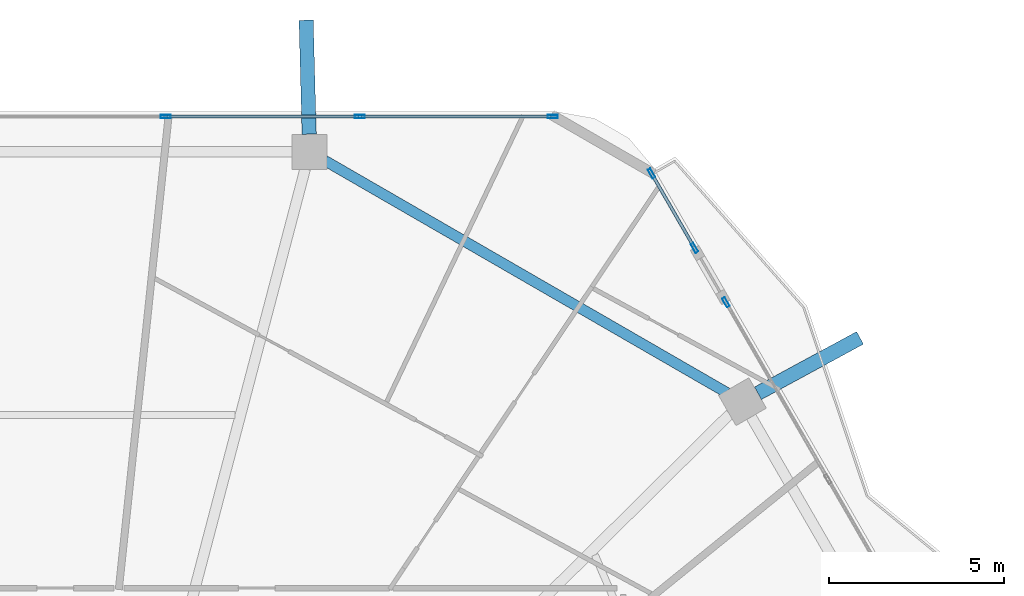
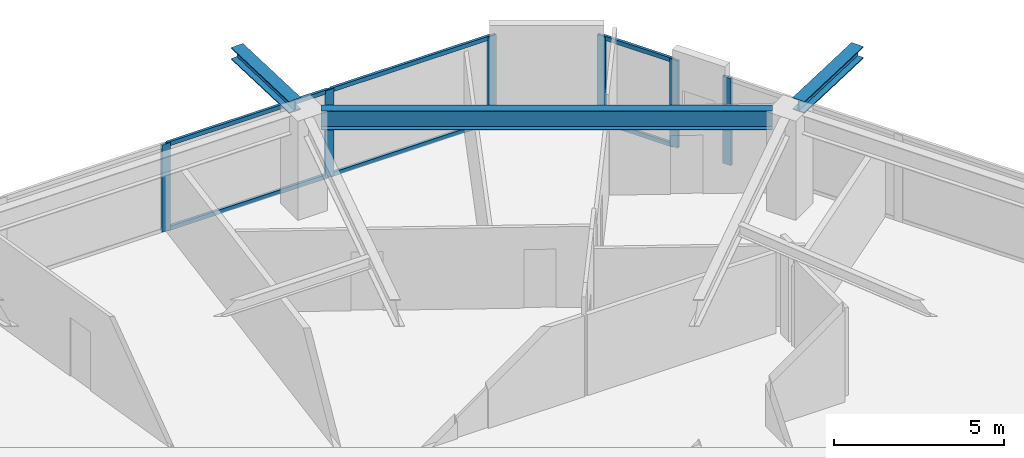
# One storey, part 15 of 25: 12 members, 3 beams, 3 elements without a shape of their own.
"""IFC4 building model written with IfcOpenShell, lengths in metres."""

import ifcopenshell
import ifcopenshell.guid

model = None  # the IFC model being written
_history = None  # IfcOwnerHistory: only IFC2X3 demands one
_inside = {}  # id of a spatial element -> (the spatial element, [elements in it])
_under = {}  # id of a project, library or spatial element -> (it, [spatial elements below it])
_declared = {}  # id of a project -> (the project, [libraries it declares])
_typed = {}  # id of a type object -> (the type object, [elements of that type])
_made_of = {}  # id of a material, layer set ... -> (it, [elements and type objects made of it])


def new_model(schema):
    """Start an empty IFC model of exactly this schema.

    Asked for "IFC4X3", IfcOpenShell would pick the latest addendum, in which some entities
    have other attributes; the version numbers below select the first issue.
    IFC2X3 requires an IfcOwnerHistory on every rooted entity: one is made here for all.
    """
    global model, _history
    if schema == "IFC4X3":
        model = ifcopenshell.file(schema_version=(4, 3, 0, 0))
    else:
        model = ifcopenshell.file(schema=schema)
    _inside.clear()
    _under.clear()
    _declared.clear()
    _typed.clear()
    _made_of.clear()
    _history = None
    if model.schema == "IFC2X3":
        org = make("IfcOrganization", Name="unknown")
        user = make(
            "IfcPersonAndOrganization",
            ThePerson=make("IfcPerson", FamilyName="unknown"),
            TheOrganization=org,
        )
        app = make(
            "IfcApplication",
            ApplicationDeveloper=org,
            Version="unknown",
            ApplicationFullName="unknown",
            ApplicationIdentifier="unknown",
        )
        _history = make(
            "IfcOwnerHistory",
            OwningUser=user,
            OwningApplication=app,
            ChangeAction="ADDED",
            CreationDate=0,
        )
    return model


def make(cls, **values):
    """One entity of the class cls with the attributes given. An attribute that is None is left unset."""
    return model.create_entity(
        cls, **{name: value for name, value in values.items() if value is not None}
    )


def rooted(cls, **values):
    """An entity with a GlobalId (a new one), such as an element, a storey or a relation."""
    return make(cls, GlobalId=ifcopenshell.guid.new(), OwnerHistory=_history, **values)


def si_unit(unit_type, name, prefix=None):
    """IfcSIUnit, for example si_unit("LENGTHUNIT", "METRE", prefix="MILLI")."""
    return make("IfcSIUnit", UnitType=unit_type, Prefix=prefix, Name=name)


def assignment(units):
    """IfcUnitAssignment: the units of a project."""
    return None if units is None else make("IfcUnitAssignment", Units=units)


def point(xyz):
    """IfcCartesianPoint."""
    return None if xyz is None else make("IfcCartesianPoint", Coordinates=xyz)


def direction(xyz):
    """IfcDirection."""
    return None if xyz is None else make("IfcDirection", DirectionRatios=xyz)


def frame(location, z_axis=None, x_axis=None):
    """IfcAxis2Placement3D, a coordinate frame: its origin and axes. An axis left out is left unset."""
    return make(
        "IfcAxis2Placement3D",
        Location=point(location),
        Axis=direction(z_axis),
        RefDirection=direction(x_axis),
    )


def frame_2d(location, x_axis=None):
    """IfcAxis2Placement2D, a coordinate frame in the plane: its origin and x axis."""
    return make(
        "IfcAxis2Placement2D", Location=point(location), RefDirection=direction(x_axis)
    )


def origin():
    """The frame at (0, 0, 0) with its axes left unset."""
    return frame((0.0, 0.0, 0.0))


def origin_2d():
    """The frame at (0, 0) in the plane with its x axis left unset."""
    return frame_2d((0.0, 0.0))


def place(relative_to, where):
    """IfcLocalPlacement: puts the frame where relative to a parent placement (None: the world)."""
    return make(
        "IfcLocalPlacement", PlacementRelTo=relative_to, RelativePlacement=where
    )


def context(
    kind, dimensions, precision=None, world=None, true_north=None, identifier=None
):
    """IfcGeometricRepresentationContext, for example the 3D "Model" context."""
    return make(
        "IfcGeometricRepresentationContext",
        ContextIdentifier=identifier,
        ContextType=kind,
        CoordinateSpaceDimension=dimensions,
        Precision=precision,
        WorldCoordinateSystem=world,
        TrueNorth=true_north,
    )


def subcontext(parent, identifier, kind, view, scale=None):
    """IfcGeometricRepresentationSubContext, for example "Body" below "Model"."""
    return make(
        "IfcGeometricRepresentationSubContext",
        ContextIdentifier=identifier,
        ContextType=kind,
        ParentContext=parent,
        TargetScale=scale,
        TargetView=view,
    )


def project(units=None, contexts=None):
    """IfcProject with its units and contexts."""
    return rooted(
        "IfcProject",
        Name="project",
        RepresentationContexts=contexts,
        UnitsInContext=assignment(units),
    )


def spatial(cls, under=None, at=None, **own):
    """A site, building, storey or space (cls), placed at a placement, below another one or the project."""
    s = rooted(cls, ObjectPlacement=at, **own)
    if under is not None:
        _under.setdefault(under.id(), (under, []))[1].append(s)
    return s


def profile(cls, at=None, kind="AREA", **sizes):
    """A parametric profile (cls). Its sizes go by their IFC names, for example OverallWidth=200.0."""
    return make(cls, ProfileType=kind, Position=at, **sizes)


def hollow_rectangle(**sizes):
    """IfcRectangleHollowProfileDef."""
    return profile("IfcRectangleHollowProfileDef", **sizes)


def i_section(**sizes):
    """IfcIShapeProfileDef."""
    return profile("IfcIShapeProfileDef", **sizes)


def extrude(swept, where, along, depth):
    """IfcExtrudedAreaSolid: the profile swept, set in the frame where, extruded along a direction by depth."""
    return make(
        "IfcExtrudedAreaSolid",
        SweptArea=swept,
        Position=where,
        ExtrudedDirection=direction(along),
        Depth=depth,
    )


def shape(context_of_items, identifier, shape_type, items):
    """IfcShapeRepresentation: the items that make up one representation, for example the "Body"."""
    return make(
        "IfcShapeRepresentation",
        ContextOfItems=context_of_items,
        RepresentationIdentifier=identifier,
        RepresentationType=shape_type,
        Items=items,
    )


def material(Name=None, Category=None):
    """IfcMaterial."""
    return make("IfcMaterial", Name=Name, Category=Category)


def material_profile(
    of_material, cross_section, Name=None, Category=None, Priority=None
):
    """IfcMaterialProfile: a cross section and its material."""
    return make(
        "IfcMaterialProfile",
        Name=Name,
        Material=of_material,
        Profile=cross_section,
        Priority=Priority,
        Category=Category,
    )


def profile_set(profiles, Name=None, composite=None):
    """IfcMaterialProfileSet."""
    return make(
        "IfcMaterialProfileSet",
        Name=Name,
        MaterialProfiles=profiles,
        CompositeProfile=composite,
    )


def made_of(thing, what):
    """Note that an element or type object is made of a material, layer set ...; save() writes the relation."""
    if what is not None:
        _made_of.setdefault(what.id(), (what, []))[1].append(thing)
    return thing


def type_object(cls, material=None, **own):
    """A type object (cls), such as IfcWallType, which elements share."""
    return made_of(rooted(cls, **own), material)


def element(
    cls,
    number,
    at=None,
    inside=None,
    cuts=None,
    type_object=None,
    material=None,
    context=None,
    identifier="Body",
    shape_type=None,
    held_by="IfcProductDefinitionShape",
    body=None,
    shapes=None,
    **own,
):
    """One element of the class cls, such as IfcWall. Its Tag is "e" and its number.

    at: its placement. inside: the storey or other place that contains it. cuts: it is an
    opening in that element (IfcRelVoidsElement). A single representation is given by context,
    identifier, shape_type and body (its items); several are given by shapes. held_by: the class
    of the entity that holds the representations. save() writes the other relations.
    """
    e = rooted(cls, Tag="e%d" % number, ObjectPlacement=at, **own)
    if body is not None:
        shapes = [shape(context, identifier, shape_type, body)]
    if shapes is not None:
        e.Representation = make(held_by, Representations=shapes)
    if inside is not None:
        _inside.setdefault(inside.id(), (inside, []))[1].append(e)
    if cuts is not None:
        rooted(
            "IfcRelVoidsElement", RelatingBuildingElement=cuts, RelatedOpeningElement=e
        )
    if type_object is not None:
        _typed.setdefault(type_object.id(), (type_object, []))[1].append(e)
    return made_of(e, material)


def aggregate(whole, parts):
    """IfcRelAggregates: a whole, such as a stair, and the parts it consists of."""
    return rooted("IfcRelAggregates", RelatingObject=whole, RelatedObjects=parts)


def save(model, path):
    """Write the relations noted so far, then the file.

    IfcRelAggregates (storeys below a building ...), IfcRelContainedInSpatialStructure (elements
    in a storey), IfcRelDefinesByType, IfcRelAssociatesMaterial and IfcRelDeclares: one each for
    every whole, place, type object, material and project.
    """
    for whole, parts in _under.values():
        aggregate(whole, parts)
    for where, things in _inside.values():
        rooted(
            "IfcRelContainedInSpatialStructure",
            RelatedElements=things,
            RelatingStructure=where,
        )
    for kind, things in _typed.values():
        rooted("IfcRelDefinesByType", RelatedObjects=things, RelatingType=kind)
    for what, things in _made_of.values():
        rooted("IfcRelAssociatesMaterial", RelatedObjects=things, RelatingMaterial=what)
    for by, libraries in _declared.values():
        rooted("IfcRelDeclares", RelatingContext=by, RelatedDefinitions=libraries)
    model.write(path)


model = new_model("IFC4")

# Units and contexts
model_context = context("Model", 3, precision=1e-05, world=origin(), true_north=direction((0.0, 1.0)))
body_context = subcontext(model_context, "Body", "Model", "MODEL_VIEW")
ifc_project = project(units=[si_unit("LENGTHUNIT", "METRE"), si_unit("AREAUNIT", "SQUARE_METRE"), si_unit("VOLUMEUNIT", "CUBIC_METRE"), si_unit("PLANEANGLEUNIT", "RADIAN"), si_unit("MASSUNIT", "GRAM", prefix="KILO")], contexts=[model_context])

# Site, building, storey
site_placement = place(None, origin())
site = spatial("IfcSite", under=ifc_project, at=site_placement, CompositionType="ELEMENT")
building_placement = place(site_placement, origin())
building = spatial("IfcBuilding", under=site, at=building_placement, Name="Zuhravey Tower", CompositionType="ELEMENT")
storey_placement = place(building_placement, frame((0.0, 0.0, 180.800048828125)))
storey = spatial("IfcBuildingStorey", under=building, at=storey_placement, Name="L45", CompositionType="ELEMENT", Elevation=180.800048828125)

# Curtain wall, members
ifc_material_1 = material(Name="Thermally broken anodised aluminium", Category="aluminium")
curtain_wall_type = type_object("IfcCurtainWallType", Name="Zone 1-2 Residential Curtain Wall CW3", PredefinedType="NOTDEFINED", material=ifc_material_1)
curtain_wall_1_placement = place(storey_placement, origin())
curtain_wall_1 = element("IfcCurtainWall", 1, at=curtain_wall_1_placement, inside=storey, type_object=curtain_wall_type, Name="L45 CW3 CW-L45-F2-1", PredefinedType="NOTDEFINED")
ifc_material_2 = material(Name="Anodised aluminium", Category="aluminium")
ifc_material_profile_1 = material_profile(ifc_material_2, hollow_rectangle(XDim=0.090087890625, YDim=0.284912109375, WallThickness=0.0048828125, at=origin_2d()), Name="ALU-RHS-90x285x5")
ifc_profile_set_1 = profile_set([ifc_material_profile_1], Name="Anodised aluminium")
member_type_1 = type_object("IfcMemberType", Name="Curtain-Wall Mullion 90x180", PredefinedType="MULLION", material=ifc_profile_set_1)
member_1_placement = place(storey_placement, frame((38.772216796875, 59.18310546875, 0.0), z_axis=(0.0, 0.0, 1.0), x_axis=(0.0, 1.0, 0.0)))
member_1 = element("IfcMember", 2, at=member_1_placement, type_object=member_type_1, Name="CW3 mullion 4", PredefinedType="MULLION", context=body_context, shape_type="SweptSolid", body=[
    extrude(hollow_rectangle(XDim=0.090087890625, YDim=0.284912109375, WallThickness=0.0048828125, at=origin_2d()), origin(), (0.0, 0.0, 1.0), 3.1220703125),
])
member_2_placement = place(storey_placement, frame((44.316650390625, 59.18310546875, 0.0), z_axis=(0.0, 0.0, 1.0), x_axis=(0.0, 1.0, 0.0)))
member_2 = element("IfcMember", 3, at=member_2_placement, type_object=member_type_1, Name="CW3 mullion 5", PredefinedType="MULLION", context=body_context, shape_type="SweptSolid", body=[
    extrude(hollow_rectangle(XDim=0.090087890625, YDim=0.284912109375, WallThickness=0.0048828125, at=origin_2d()), origin(), (0.0, 0.0, 1.0), 3.1220703125),
])
member_3_placement = place(storey_placement, frame((49.816162109375, 59.18310546875, 0.0), z_axis=(0.0, 0.0, 1.0), x_axis=(0.0, 1.0, 0.0)))
member_3 = element("IfcMember", 4, at=member_3_placement, type_object=member_type_1, Name="CW3 mullion 6", PredefinedType="MULLION", context=body_context, shape_type="SweptSolid", body=[
    extrude(hollow_rectangle(XDim=0.090087890625, YDim=0.284912109375, WallThickness=0.0048828125, at=origin_2d()), origin(), (0.0, 0.0, 1.0), 3.1220703125),
])

curtain_wall_2_placement = place(storey_placement, origin())
curtain_wall_2 = element("IfcCurtainWall", 5, at=curtain_wall_2_placement, inside=storey, type_object=curtain_wall_type, Name="L45 CW3 CW-L45-F1-1", PredefinedType="NOTDEFINED")
member_4_placement = place(storey_placement, frame((52.63330078125, 57.556640625, 0.0), z_axis=(0.0, 0.0, 1.0), x_axis=(0.866022513548, 0.500005006002, 0.0)))
member_4 = element("IfcMember", 6, at=member_4_placement, type_object=member_type_1, Name="CW3 mullion 1", PredefinedType="MULLION", context=body_context, shape_type="SweptSolid", body=[
    extrude(hollow_rectangle(XDim=0.090087890625, YDim=0.284912109375, WallThickness=0.0048828125, at=origin_2d()), origin(), (0.0, 0.0, 1.0), 3.1220703125),
])
member_5_placement = place(storey_placement, frame((53.859619140625, 55.432373046875, 0.0), z_axis=(0.0, 0.0, 1.0), x_axis=(0.866022513548, 0.500005006002, 0.0)))
member_5 = element("IfcMember", 7, at=member_5_placement, type_object=member_type_1, Name="CW3 mullion 2", PredefinedType="MULLION", context=body_context, shape_type="SweptSolid", body=[
    extrude(hollow_rectangle(XDim=0.090087890625, YDim=0.284912109375, WallThickness=0.0048828125, at=origin_2d()), origin(), (0.0, 0.0, 1.0), 3.1220703125),
])

# Curtain wall, member
curtain_wall_3_placement = place(storey_placement, origin())
curtain_wall_3 = element("IfcCurtainWall", 8, at=curtain_wall_3_placement, inside=storey, type_object=curtain_wall_type, Name="L45 CW3 CW-L45-F1-2", PredefinedType="NOTDEFINED")
member_6_placement = place(storey_placement, frame((54.754638671875, 53.88232421875, 0.0), z_axis=(0.0, 0.0, 1.0), x_axis=(0.866024798294, 0.500001048738, 0.0)))
member_6 = element("IfcMember", 9, at=member_6_placement, type_object=member_type_1, Name="CW3 mullion 1", PredefinedType="MULLION", context=body_context, shape_type="SweptSolid", body=[
    extrude(hollow_rectangle(XDim=0.090087890625, YDim=0.284912109375, WallThickness=0.0048828125, at=origin_2d()), origin(), (0.0, 0.0, 1.0), 3.1220703125),
])
aggregate(curtain_wall_3, [member_6])

# Member
ifc_material_profile_2 = material_profile(ifc_material_2, hollow_rectangle(XDim=0.090087890625, YDim=0.14990234375, WallThickness=0.0048828125, at=origin_2d()), Name="ALU-RHS-90x150x5")
ifc_profile_set_2 = profile_set([ifc_material_profile_2], Name="Anodised aluminium")
member_type_2 = type_object("IfcMemberType", Name="Curtain-Wall Transom 90x150", PredefinedType="USERDEFINED", material=ifc_profile_set_2)
member_7_placement = place(storey_placement, frame((38.817138671875, 59.18310546875, 0.044921875), z_axis=(1.0, 0.0, 0.0), x_axis=(0.0, 1.0, 0.0)))
member_7 = element("IfcMember", 10, at=member_7_placement, type_object=member_type_2, Name="CW3 transom 4.1", ObjectType="TRANSOM", PredefinedType="USERDEFINED", context=body_context, shape_type="SweptSolid", body=[
    extrude(hollow_rectangle(XDim=0.090087890625, YDim=0.14990234375, WallThickness=0.0048828125, at=origin_2d()), origin(), (0.0, 0.0, 1.0), 5.45458984375),
])

member_8_placement = place(storey_placement, frame((38.817138671875, 59.18310546875, 3.076904296875), z_axis=(1.0, 0.0, 0.0), x_axis=(0.0, 1.0, 0.0)))
member_8 = element("IfcMember", 11, at=member_8_placement, type_object=member_type_2, Name="CW3 transom 4.2", ObjectType="TRANSOM", PredefinedType="USERDEFINED", context=body_context, shape_type="SweptSolid", body=[
    extrude(hollow_rectangle(XDim=0.090087890625, YDim=0.14990234375, WallThickness=0.0048828125, at=origin_2d()), origin(), (0.0, 0.0, 1.0), 5.45458984375),
])

member_9_placement = place(storey_placement, frame((44.361572265625, 59.18310546875, 0.044921875), z_axis=(1.0, 0.0, 0.0), x_axis=(0.0, 1.0, 0.0)))
member_9 = element("IfcMember", 12, at=member_9_placement, type_object=member_type_2, Name="CW3 transom 5.1", ObjectType="TRANSOM", PredefinedType="USERDEFINED", context=body_context, shape_type="SweptSolid", body=[
    extrude(hollow_rectangle(XDim=0.090087890625, YDim=0.14990234375, WallThickness=0.0048828125, at=origin_2d()), origin(), (0.0, 0.0, 1.0), 5.409423828125),
])

member_10_placement = place(storey_placement, frame((44.361572265625, 59.18310546875, 3.076904296875), z_axis=(1.0, 0.0, 0.0), x_axis=(0.0, 1.0, 0.0)))
member_10 = element("IfcMember", 13, at=member_10_placement, type_object=member_type_2, Name="CW3 transom 5.2", ObjectType="TRANSOM", PredefinedType="USERDEFINED", context=body_context, shape_type="SweptSolid", body=[
    extrude(hollow_rectangle(XDim=0.090087890625, YDim=0.14990234375, WallThickness=0.0048828125, at=origin_2d()), origin(), (0.0, 0.0, 1.0), 5.409423828125),
])

aggregate(curtain_wall_1, [member_1, member_2, member_3, member_7, member_8, member_9, member_10])

member_11_placement = place(storey_placement, frame((52.65576171875, 57.517578125, 0.044921875), z_axis=(0.500017622489, -0.866015229196, 0.0), x_axis=(0.866015229196, 0.500017622489, 0.0)))
member_11 = element("IfcMember", 14, at=member_11_placement, type_object=member_type_2, Name="CW3 transom 1.1", ObjectType="TRANSOM", PredefinedType="USERDEFINED", context=body_context, shape_type="SweptSolid", body=[
    extrude(hollow_rectangle(XDim=0.090087890625, YDim=0.14990234375, WallThickness=0.0048828125, at=origin_2d()), origin(), (0.0, 0.0, 1.0), 2.36279296875),
])

member_12_placement = place(storey_placement, frame((52.65576171875, 57.517578125, 3.076904296875), z_axis=(0.500017622489, -0.866015229196, 0.0), x_axis=(0.866015229196, 0.500017622489, 0.0)))
member_12 = element("IfcMember", 15, at=member_12_placement, type_object=member_type_2, Name="CW3 transom 1.2", ObjectType="TRANSOM", PredefinedType="USERDEFINED", context=body_context, shape_type="SweptSolid", body=[
    extrude(hollow_rectangle(XDim=0.090087890625, YDim=0.14990234375, WallThickness=0.0048828125, at=origin_2d()), origin(), (0.0, 0.0, 1.0), 2.36279296875),
])

aggregate(curtain_wall_2, [member_4, member_5, member_11, member_12])

# Beams
ifc_material_3 = material(Name="Steel SM460", Category="steel")
ifc_material_profile_3 = material_profile(ifc_material_3, i_section(OverallWidth=0.406982421875, OverallDepth=0.427978515625, WebThickness=0.02001953125, FlangeThickness=0.034912109375, at=origin_2d()), Name="H-428x407x20x35")
ifc_profile_set_3 = profile_set([ifc_material_profile_3], Name="Steel SM460")
beam_type_1 = type_object("IfcBeamType", Name="Exoskeleton Node Tie Beam H428x407", PredefinedType="BEAM", material=ifc_profile_set_3)
beam_1_placement = place(storey_placement, frame((55.668701171875, 51.287109375, 3.3359375), z_axis=(0.878916119268, 0.476976367644, 0.0), x_axis=(-0.476976367644, 0.878916119268, 0.0)))
element("IfcBeam", 16, at=beam_1_placement, inside=storey, type_object=beam_type_1, Name="L45 Exoskeleton Node Tie NT1-02", PredefinedType="BEAM", context=body_context, shape_type="SweptSolid", body=[
    extrude(i_section(OverallWidth=0.406982421875, OverallDepth=0.427978515625, WebThickness=0.02001953125, FlangeThickness=0.034912109375, at=origin_2d()), origin(), (0.0, 0.0, 1.0), 3.312255859375),
])
beam_2_placement = place(storey_placement, frame((42.868408203125, 58.677001953125, 3.3359375), z_axis=(-0.02672320059, 0.999642871505, 0.0), x_axis=(-0.999642871505, -0.02672320059, 0.0)))
element("IfcBeam", 17, at=beam_2_placement, inside=storey, type_object=beam_type_1, Name="L45 Exoskeleton Node Tie NT1-03", PredefinedType="BEAM", context=body_context, shape_type="SweptSolid", body=[
    extrude(i_section(OverallWidth=0.406982421875, OverallDepth=0.427978515625, WebThickness=0.02001953125, FlangeThickness=0.034912109375, at=origin_2d()), origin(), (0.0, 0.0, 1.0), 3.25244140625),
])
ifc_material_4 = material(Name="Steel SM355", Category="steel")
ifc_material_profile_4 = material_profile(ifc_material_4, i_section(OverallWidth=0.300048828125, OverallDepth=0.679931640625, WebThickness=0.012939453125, FlangeThickness=0.02197265625, at=origin_2d()), Name="H-680x300x13x22")
ifc_profile_set_4 = profile_set([ifc_material_profile_4], Name="Steel SM355")
beam_type_2 = type_object("IfcBeamType", Name="Perimeter Ring Beam H680x300", PredefinedType="BEAM", material=ifc_profile_set_4)
beam_3_placement = place(storey_placement, frame((54.789794921875, 51.298095703125, 3.2099609375), z_axis=(-0.866022923061, 0.500004296715, 0.0), x_axis=(-0.500004296715, -0.866022923061, 0.0)))
element("IfcBeam", 18, at=beam_3_placement, inside=storey, type_object=beam_type_2, Name="L45 PB2 BM-L45-PB-02", PredefinedType="BEAM", context=body_context, shape_type="SweptSolid", body=[
    extrude(i_section(OverallWidth=0.300048828125, OverallDepth=0.679931640625, WebThickness=0.012939453125, FlangeThickness=0.02197265625, at=origin_2d()), origin(), (0.0, 0.0, 1.0), 13.2470703125),
])

save(model, "model.ifc")
